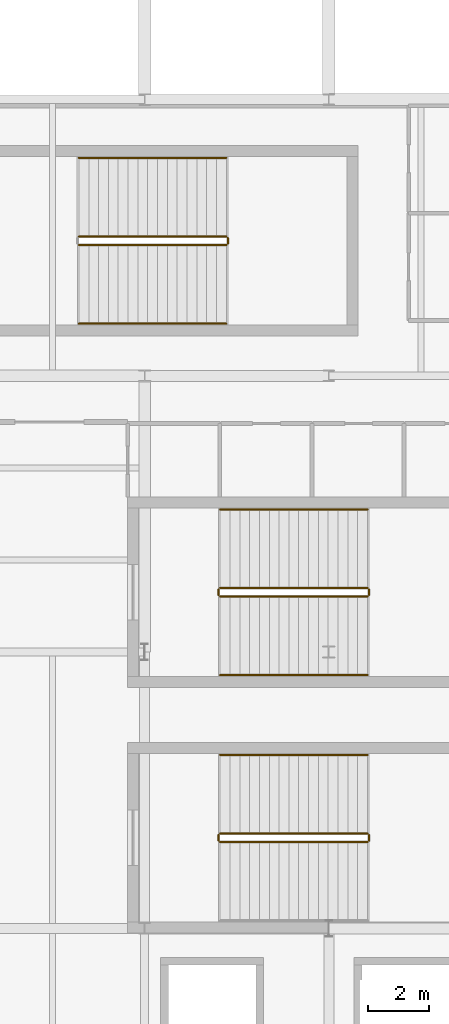
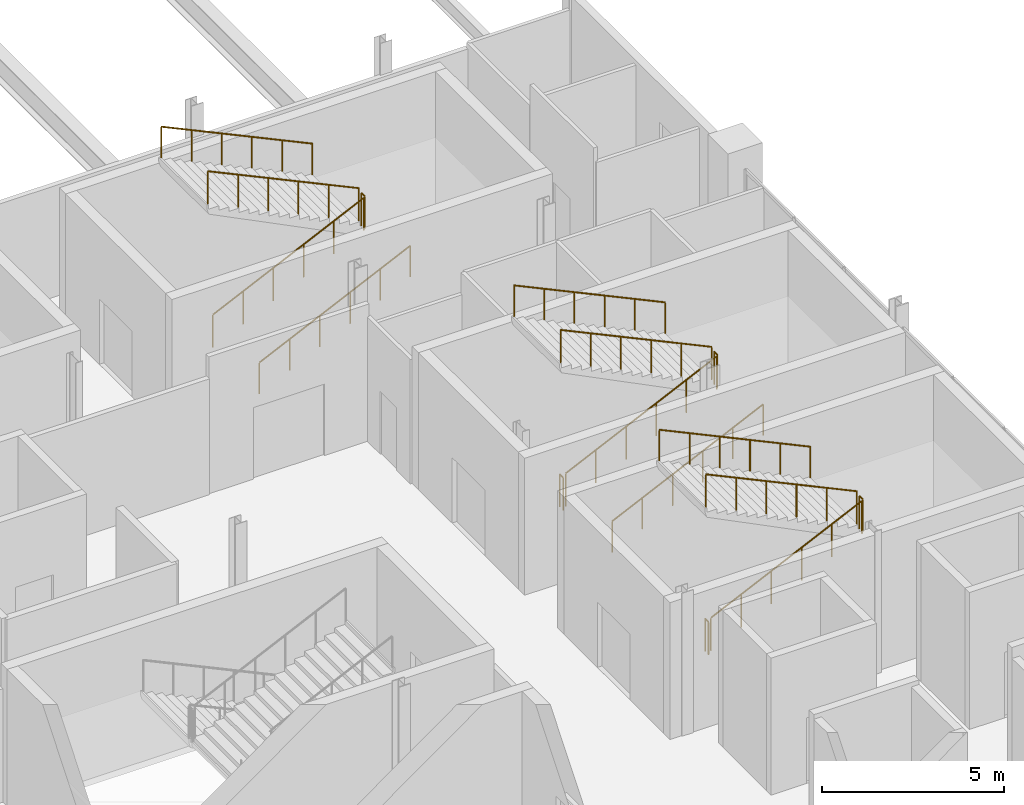
# One storey, part 224 of 224: 16 railings.
"""IFC4 building model written with IfcOpenShell, lengths in metres."""

from ifc_helpers import new_model, si_unit, direction, frame, origin, origin_2d, place, context, subcontext, project, spatial, circle, extrude, material, type_object, element, save


model = new_model("IFC4")

# Units and contexts
model_context = context("Model", 3, precision=1e-05, world=origin(), true_north=direction((0.0, 1.0)))
body_context = subcontext(model_context, "Body", "Model", "MODEL_VIEW")
ifc_project = project(units=[si_unit("LENGTHUNIT", "METRE"), si_unit("AREAUNIT", "SQUARE_METRE"), si_unit("VOLUMEUNIT", "CUBIC_METRE"), si_unit("PLANEANGLEUNIT", "RADIAN"), si_unit("MASSUNIT", "GRAM", prefix="KILO")], contexts=[model_context])

# Site, building, storey
site_placement = place(None, origin())
site = spatial("IfcSite", under=ifc_project, at=site_placement, CompositionType="ELEMENT")
building_placement = place(site_placement, origin())
building = spatial("IfcBuilding", under=site, at=building_placement, Name="Qamarlyn Nura Convention Centre", CompositionType="ELEMENT")
storey_placement = place(building_placement, frame((0.0, 0.0, 10.800048828125)))
storey = spatial("IfcBuildingStorey", under=building, at=storey_placement, Name="L02", CompositionType="ELEMENT", Elevation=10.800048828125)

# Railings
ifc_material = material(Name="Marine Grade 316 stainless steel", Category="steel")
railing_type_1 = type_object("IfcRailingType", Name="GRD-STAIR-112", PredefinedType="BALUSTRADE", material=ifc_material)
railing_1_placement = place(storey_placement, frame((182.4599609375, 65.81005859375, 0.14990234375)))
element("IfcRailing", 1, at=railing_1_placement, inside=storey, type_object=railing_type_1, Name="L02 ST-13 stair guard 1", PredefinedType="BALUSTRADE", context=body_context, shape_type="SweptSolid", body=[
    extrude(circle(Radius=0.02392578125, at=origin_2d()), frame((0.0, 0.0, 1.09619140625), z_axis=(0.90546059521, 0.0, 0.424430336476), x_axis=(0.0, 1.0, 0.0)), (0.0, 0.0, 1.0), 5.30126953125),
    extrude(circle(Radius=0.02099609375, at=origin_2d()), origin(), (0.0, 0.0, 1.0), 1.070068359375),
    extrude(circle(Radius=0.02099609375, at=origin_2d()), frame((0.9599609375, 0.0, 0.449951171875)), (0.0, 0.0, 1.0), 1.070068359375),
    extrude(circle(Radius=0.02099609375, at=origin_2d()), frame((1.919921875, 0.0, 0.89990234375)), (0.0, 0.0, 1.0), 1.070068359375),
    extrude(circle(Radius=0.02099609375, at=origin_2d()), frame((2.880126953125, 0.0, 1.35009765625)), (0.0, 0.0, 1.0), 1.070068359375),
    extrude(circle(Radius=0.02099609375, at=origin_2d()), frame((3.840087890625, 0.0, 1.800048828125)), (0.0, 0.0, 1.0), 1.070068359375),
    extrude(circle(Radius=0.02099609375, at=origin_2d()), frame((4.800048828125, 0.0, 2.25)), (0.0, 0.0, 1.0), 1.070068359375),
])
railing_2_placement = place(storey_placement, frame((187.31005859375, 65.860107421875, 2.39990234375)))
element("IfcRailing", 2, at=railing_2_placement, inside=storey, type_object=railing_type_1, Name="L02 ST-13 stair guard 2", PredefinedType="BALUSTRADE", context=body_context, shape_type="SweptSolid", body=[
    extrude(circle(Radius=0.02392578125, at=origin_2d()), frame((0.0, 0.0, 1.09619140625), z_axis=(0.0, 1.0, 0.0), x_axis=(-1.0, 0.0, 0.0)), (0.0, 0.0, 1.0), 0.179931640625),
    extrude(circle(Radius=0.02099609375, at=origin_2d()), origin(), (0.0, 0.0, 1.0), 1.070068359375),
    extrude(circle(Radius=0.02099609375, at=origin_2d()), frame((0.0, 0.179931640625, 0.0)), (0.0, 0.0, 1.0), 1.070068359375),
])
railing_3_placement = place(storey_placement, frame((187.260009765625, 66.090087890625, 2.550048828125)))
element("IfcRailing", 3, at=railing_3_placement, inside=storey, type_object=railing_type_1, Name="L02 ST-13 stair guard 3", PredefinedType="BALUSTRADE", context=body_context, shape_type="SweptSolid", body=[
    extrude(circle(Radius=0.02392578125, at=origin_2d()), frame((0.0, 0.0, 1.09619140625), z_axis=(-0.90546059521, 0.0, 0.424430336476), x_axis=(0.0, -1.0, 0.0)), (0.0, 0.0, 1.0), 5.30126953125),
    extrude(circle(Radius=0.02099609375, at=origin_2d()), origin(), (0.0, 0.0, 1.0), 1.070068359375),
    extrude(circle(Radius=0.02099609375, at=origin_2d()), frame((-0.9599609375, 0.0, 0.449951171875)), (0.0, 0.0, 1.0), 1.070068359375),
    extrude(circle(Radius=0.02099609375, at=origin_2d()), frame((-1.919921875, 0.0, 0.89990234375)), (0.0, 0.0, 1.0), 1.070068359375),
    extrude(circle(Radius=0.02099609375, at=origin_2d()), frame((-2.880126953125, 0.0, 1.35009765625)), (0.0, 0.0, 1.0), 1.070068359375),
    extrude(circle(Radius=0.02099609375, at=origin_2d()), frame((-3.840087890625, 0.0, 1.800048828125)), (0.0, 0.0, 1.0), 1.070068359375),
    extrude(circle(Radius=0.02099609375, at=origin_2d()), frame((-4.800048828125, 0.0, 2.25)), (0.0, 0.0, 1.0), 1.070068359375),
])
railing_4_placement = place(storey_placement, frame((182.409912109375, 65.860107421875, 0.0)))
element("IfcRailing", 4, at=railing_4_placement, inside=storey, type_object=railing_type_1, Name="L02 ST-13 stair guard 4", PredefinedType="BALUSTRADE", context=body_context, shape_type="SweptSolid", body=[
    extrude(circle(Radius=0.02392578125, at=origin_2d()), frame((0.0, 0.0, 1.09619140625), z_axis=(0.0, 1.0, 0.0), x_axis=(-1.0, 0.0, 0.0)), (0.0, 0.0, 1.0), 0.179931640625),
    extrude(circle(Radius=0.02099609375, at=origin_2d()), origin(), (0.0, 0.0, 1.0), 1.070068359375),
    extrude(circle(Radius=0.02099609375, at=origin_2d()), frame((0.0, 0.179931640625, 0.0)), (0.0, 0.0, 1.0), 1.070068359375),
])
railing_5_placement = place(storey_placement, frame((182.4599609375, 73.81005859375, 0.14990234375)))
element("IfcRailing", 5, at=railing_5_placement, inside=storey, type_object=railing_type_1, Name="L02 ST-14 stair guard 1", PredefinedType="BALUSTRADE", context=body_context, shape_type="SweptSolid", body=[
    extrude(circle(Radius=0.02392578125, at=origin_2d()), frame((0.0, 0.0, 1.09619140625), z_axis=(0.90546059521, 0.0, 0.424430336476), x_axis=(0.0, 1.0, 0.0)), (0.0, 0.0, 1.0), 5.30126953125),
    extrude(circle(Radius=0.02099609375, at=origin_2d()), origin(), (0.0, 0.0, 1.0), 1.070068359375),
    extrude(circle(Radius=0.02099609375, at=origin_2d()), frame((0.9599609375, 0.0, 0.449951171875)), (0.0, 0.0, 1.0), 1.070068359375),
    extrude(circle(Radius=0.02099609375, at=origin_2d()), frame((1.919921875, 0.0, 0.89990234375)), (0.0, 0.0, 1.0), 1.070068359375),
    extrude(circle(Radius=0.02099609375, at=origin_2d()), frame((2.880126953125, 0.0, 1.35009765625)), (0.0, 0.0, 1.0), 1.070068359375),
    extrude(circle(Radius=0.02099609375, at=origin_2d()), frame((3.840087890625, 0.0, 1.800048828125)), (0.0, 0.0, 1.0), 1.070068359375),
    extrude(circle(Radius=0.02099609375, at=origin_2d()), frame((4.800048828125, 0.0, 2.25)), (0.0, 0.0, 1.0), 1.070068359375),
])
railing_6_placement = place(storey_placement, frame((187.31005859375, 73.860107421875, 2.39990234375)))
element("IfcRailing", 6, at=railing_6_placement, inside=storey, type_object=railing_type_1, Name="L02 ST-14 stair guard 2", PredefinedType="BALUSTRADE", context=body_context, shape_type="SweptSolid", body=[
    extrude(circle(Radius=0.02392578125, at=origin_2d()), frame((0.0, 0.0, 1.09619140625), z_axis=(0.0, 1.0, 0.0), x_axis=(-1.0, 0.0, 0.0)), (0.0, 0.0, 1.0), 0.179931640625),
    extrude(circle(Radius=0.02099609375, at=origin_2d()), origin(), (0.0, 0.0, 1.0), 1.070068359375),
    extrude(circle(Radius=0.02099609375, at=origin_2d()), frame((0.0, 0.179931640625, 0.0)), (0.0, 0.0, 1.0), 1.070068359375),
])
railing_7_placement = place(storey_placement, frame((187.260009765625, 74.090087890625, 2.550048828125)))
element("IfcRailing", 7, at=railing_7_placement, inside=storey, type_object=railing_type_1, Name="L02 ST-14 stair guard 3", PredefinedType="BALUSTRADE", context=body_context, shape_type="SweptSolid", body=[
    extrude(circle(Radius=0.02392578125, at=origin_2d()), frame((0.0, 0.0, 1.09619140625), z_axis=(-0.90546059521, 0.0, 0.424430336476), x_axis=(0.0, -1.0, 0.0)), (0.0, 0.0, 1.0), 5.30126953125),
    extrude(circle(Radius=0.02099609375, at=origin_2d()), origin(), (0.0, 0.0, 1.0), 1.070068359375),
    extrude(circle(Radius=0.02099609375, at=origin_2d()), frame((-0.9599609375, 0.0, 0.449951171875)), (0.0, 0.0, 1.0), 1.070068359375),
    extrude(circle(Radius=0.02099609375, at=origin_2d()), frame((-1.919921875, 0.0, 0.89990234375)), (0.0, 0.0, 1.0), 1.070068359375),
    extrude(circle(Radius=0.02099609375, at=origin_2d()), frame((-2.880126953125, 0.0, 1.35009765625)), (0.0, 0.0, 1.0), 1.070068359375),
    extrude(circle(Radius=0.02099609375, at=origin_2d()), frame((-3.840087890625, 0.0, 1.800048828125)), (0.0, 0.0, 1.0), 1.070068359375),
    extrude(circle(Radius=0.02099609375, at=origin_2d()), frame((-4.800048828125, 0.0, 2.25)), (0.0, 0.0, 1.0), 1.070068359375),
])
railing_8_placement = place(storey_placement, frame((182.409912109375, 73.860107421875, 0.0)))
element("IfcRailing", 8, at=railing_8_placement, inside=storey, type_object=railing_type_1, Name="L02 ST-14 stair guard 4", PredefinedType="BALUSTRADE", context=body_context, shape_type="SweptSolid", body=[
    extrude(circle(Radius=0.02392578125, at=origin_2d()), frame((0.0, 0.0, 1.09619140625), z_axis=(0.0, 1.0, 0.0), x_axis=(-1.0, 0.0, 0.0)), (0.0, 0.0, 1.0), 0.179931640625),
    extrude(circle(Radius=0.02099609375, at=origin_2d()), origin(), (0.0, 0.0, 1.0), 1.070068359375),
    extrude(circle(Radius=0.02099609375, at=origin_2d()), frame((0.0, 0.179931640625, 0.0)), (0.0, 0.0, 1.0), 1.070068359375),
])
railing_9_placement = place(storey_placement, frame((177.860107421875, 85.260009765625, 0.14990234375)))
element("IfcRailing", 9, at=railing_9_placement, inside=storey, type_object=railing_type_1, Name="L02 ST-17 stair guard 1", PredefinedType="BALUSTRADE", context=body_context, shape_type="SweptSolid", body=[
    extrude(circle(Radius=0.02392578125, at=origin_2d()), frame((0.0, 0.0, 1.09619140625), z_axis=(0.905452298538, 0.0, 0.424448035774), x_axis=(0.0, 1.0, 0.0)), (0.0, 0.0, 1.0), 5.301025390625),
    extrude(circle(Radius=0.02099609375, at=origin_2d()), origin(), (0.0, 0.0, 1.0), 1.070068359375),
    extrude(circle(Radius=0.02099609375, at=origin_2d()), frame((0.9599609375, 0.0, 0.449951171875)), (0.0, 0.0, 1.0), 1.070068359375),
    extrude(circle(Radius=0.02099609375, at=origin_2d()), frame((1.919921875, 0.0, 0.89990234375)), (0.0, 0.0, 1.0), 1.070068359375),
    extrude(circle(Radius=0.02099609375, at=origin_2d()), frame((2.8798828125, 0.0, 1.35009765625)), (0.0, 0.0, 1.0), 1.070068359375),
    extrude(circle(Radius=0.02099609375, at=origin_2d()), frame((3.83984375, 0.0, 1.800048828125)), (0.0, 0.0, 1.0), 1.070068359375),
    extrude(circle(Radius=0.02099609375, at=origin_2d()), frame((4.7998046875, 0.0, 2.25)), (0.0, 0.0, 1.0), 1.070068359375),
])
railing_10_placement = place(storey_placement, frame((182.7099609375, 85.31005859375, 2.39990234375)))
element("IfcRailing", 10, at=railing_10_placement, inside=storey, type_object=railing_type_1, Name="L02 ST-17 stair guard 2", PredefinedType="BALUSTRADE", context=body_context, shape_type="SweptSolid", body=[
    extrude(circle(Radius=0.02392578125, at=origin_2d()), frame((0.0, 0.0, 1.09619140625), z_axis=(0.0, 1.0, 0.0), x_axis=(-1.0, 0.0, 0.0)), (0.0, 0.0, 1.0), 0.179931640625),
    extrude(circle(Radius=0.02099609375, at=origin_2d()), origin(), (0.0, 0.0, 1.0), 1.070068359375),
    extrude(circle(Radius=0.02099609375, at=origin_2d()), frame((0.0, 0.179931640625, 0.0)), (0.0, 0.0, 1.0), 1.070068359375),
])
railing_11_placement = place(storey_placement, frame((182.659912109375, 85.5400390625, 2.550048828125)))
element("IfcRailing", 11, at=railing_11_placement, inside=storey, type_object=railing_type_1, Name="L02 ST-17 stair guard 3", PredefinedType="BALUSTRADE", context=body_context, shape_type="SweptSolid", body=[
    extrude(circle(Radius=0.02392578125, at=origin_2d()), frame((0.0, 0.0, 1.09619140625), z_axis=(-0.905452298538, 0.0, 0.424448035774), x_axis=(0.0, -1.0, 0.0)), (0.0, 0.0, 1.0), 5.301025390625),
    extrude(circle(Radius=0.02099609375, at=origin_2d()), origin(), (0.0, 0.0, 1.0), 1.070068359375),
    extrude(circle(Radius=0.02099609375, at=origin_2d()), frame((-0.9599609375, 0.0, 0.449951171875)), (0.0, 0.0, 1.0), 1.070068359375),
    extrude(circle(Radius=0.02099609375, at=origin_2d()), frame((-1.919921875, 0.0, 0.89990234375)), (0.0, 0.0, 1.0), 1.070068359375),
    extrude(circle(Radius=0.02099609375, at=origin_2d()), frame((-2.8798828125, 0.0, 1.35009765625)), (0.0, 0.0, 1.0), 1.070068359375),
    extrude(circle(Radius=0.02099609375, at=origin_2d()), frame((-3.83984375, 0.0, 1.800048828125)), (0.0, 0.0, 1.0), 1.070068359375),
    extrude(circle(Radius=0.02099609375, at=origin_2d()), frame((-4.7998046875, 0.0, 2.25)), (0.0, 0.0, 1.0), 1.070068359375),
])
railing_type_2 = type_object("IfcRailingType", Name="HRL-STAIR-090", PredefinedType="HANDRAIL", material=ifc_material)
railing_12_placement = place(storey_placement, frame((187.260009765625, 68.64990234375, 2.7021484375)))
element("IfcRailing", 12, at=railing_12_placement, inside=storey, type_object=railing_type_2, Name="L02 ST-13 stair handrail 2", PredefinedType="HANDRAIL", context=body_context, shape_type="SweptSolid", body=[
    extrude(circle(Radius=0.02392578125, at=origin_2d()), frame((0.0, 0.0, 0.88818359375), z_axis=(-0.90546059521, 0.0, 0.424430336476), x_axis=(0.0, -1.0, 0.0)), (0.0, 0.0, 1.0), 5.30126953125),
    extrude(circle(Radius=0.02099609375, at=origin_2d()), frame((0.0, 0.0, -0.155029296875)), (0.0, 0.0, 1.0), 1.01708984375),
    extrude(circle(Radius=0.02099609375, at=origin_2d()), frame((-0.9599609375, 0.0, 0.294921875)), (0.0, 0.0, 1.0), 1.01708984375),
    extrude(circle(Radius=0.02099609375, at=origin_2d()), frame((-1.919921875, 0.0, 0.744873046875)), (0.0, 0.0, 1.0), 1.01708984375),
    extrude(circle(Radius=0.02099609375, at=origin_2d()), frame((-2.880126953125, 0.0, 1.195068359375)), (0.0, 0.0, 1.0), 1.01708984375),
    extrude(circle(Radius=0.02099609375, at=origin_2d()), frame((-3.840087890625, 0.0, 1.64501953125)), (0.0, 0.0, 1.0), 1.01708984375),
    extrude(circle(Radius=0.02099609375, at=origin_2d()), frame((-4.800048828125, 0.0, 2.094970703125)), (0.0, 0.0, 1.0), 1.01708984375),
])
railing_13_placement = place(storey_placement, frame((182.4599609375, 71.25, 0.30224609375)))
element("IfcRailing", 13, at=railing_13_placement, inside=storey, type_object=railing_type_2, Name="L02 ST-14 stair handrail 1", PredefinedType="HANDRAIL", context=body_context, shape_type="SweptSolid", body=[
    extrude(circle(Radius=0.02392578125, at=origin_2d()), frame((0.0, 0.0, 0.88818359375), z_axis=(0.90546059521, 0.0, 0.424430336476), x_axis=(0.0, 1.0, 0.0)), (0.0, 0.0, 1.0), 5.30126953125),
    extrude(circle(Radius=0.02099609375, at=origin_2d()), frame((0.0, 0.0, -0.155029296875)), (0.0, 0.0, 1.0), 1.01708984375),
    extrude(circle(Radius=0.02099609375, at=origin_2d()), frame((0.9599609375, 0.0, 0.294921875)), (0.0, 0.0, 1.0), 1.01708984375),
    extrude(circle(Radius=0.02099609375, at=origin_2d()), frame((1.919921875, 0.0, 0.744873046875)), (0.0, 0.0, 1.0), 1.01708984375),
    extrude(circle(Radius=0.02099609375, at=origin_2d()), frame((2.880126953125, 0.0, 1.195068359375)), (0.0, 0.0, 1.0), 1.01708984375),
    extrude(circle(Radius=0.02099609375, at=origin_2d()), frame((3.840087890625, 0.0, 1.64501953125)), (0.0, 0.0, 1.0), 1.01708984375),
    extrude(circle(Radius=0.02099609375, at=origin_2d()), frame((4.800048828125, 0.0, 2.094970703125)), (0.0, 0.0, 1.0), 1.01708984375),
])
railing_14_placement = place(storey_placement, frame((187.260009765625, 76.64990234375, 2.7021484375)))
element("IfcRailing", 14, at=railing_14_placement, inside=storey, type_object=railing_type_2, Name="L02 ST-14 stair handrail 2", PredefinedType="HANDRAIL", context=body_context, shape_type="SweptSolid", body=[
    extrude(circle(Radius=0.02392578125, at=origin_2d()), frame((0.0, 0.0, 0.88818359375), z_axis=(-0.90546059521, 0.0, 0.424430336476), x_axis=(0.0, -1.0, 0.0)), (0.0, 0.0, 1.0), 5.30126953125),
    extrude(circle(Radius=0.02099609375, at=origin_2d()), frame((0.0, 0.0, -0.155029296875)), (0.0, 0.0, 1.0), 1.01708984375),
    extrude(circle(Radius=0.02099609375, at=origin_2d()), frame((-0.9599609375, 0.0, 0.294921875)), (0.0, 0.0, 1.0), 1.01708984375),
    extrude(circle(Radius=0.02099609375, at=origin_2d()), frame((-1.919921875, 0.0, 0.744873046875)), (0.0, 0.0, 1.0), 1.01708984375),
    extrude(circle(Radius=0.02099609375, at=origin_2d()), frame((-2.880126953125, 0.0, 1.195068359375)), (0.0, 0.0, 1.0), 1.01708984375),
    extrude(circle(Radius=0.02099609375, at=origin_2d()), frame((-3.840087890625, 0.0, 1.64501953125)), (0.0, 0.0, 1.0), 1.01708984375),
    extrude(circle(Radius=0.02099609375, at=origin_2d()), frame((-4.800048828125, 0.0, 2.094970703125)), (0.0, 0.0, 1.0), 1.01708984375),
])
railing_15_placement = place(storey_placement, frame((177.860107421875, 82.699951171875, 0.30224609375)))
element("IfcRailing", 15, at=railing_15_placement, inside=storey, type_object=railing_type_2, Name="L02 ST-17 stair handrail 1", PredefinedType="HANDRAIL", context=body_context, shape_type="SweptSolid", body=[
    extrude(circle(Radius=0.02392578125, at=origin_2d()), frame((0.0, 0.0, 0.88818359375), z_axis=(0.905452298538, 0.0, 0.424448035774), x_axis=(0.0, 1.0, 0.0)), (0.0, 0.0, 1.0), 5.301025390625),
    extrude(circle(Radius=0.02099609375, at=origin_2d()), frame((0.0, 0.0, -0.155029296875)), (0.0, 0.0, 1.0), 1.01708984375),
    extrude(circle(Radius=0.02099609375, at=origin_2d()), frame((0.9599609375, 0.0, 0.294921875)), (0.0, 0.0, 1.0), 1.01708984375),
    extrude(circle(Radius=0.02099609375, at=origin_2d()), frame((1.919921875, 0.0, 0.744873046875)), (0.0, 0.0, 1.0), 1.01708984375),
    extrude(circle(Radius=0.02099609375, at=origin_2d()), frame((2.8798828125, 0.0, 1.195068359375)), (0.0, 0.0, 1.0), 1.01708984375),
    extrude(circle(Radius=0.02099609375, at=origin_2d()), frame((3.83984375, 0.0, 1.64501953125)), (0.0, 0.0, 1.0), 1.01708984375),
    extrude(circle(Radius=0.02099609375, at=origin_2d()), frame((4.7998046875, 0.0, 2.094970703125)), (0.0, 0.0, 1.0), 1.01708984375),
])
railing_16_placement = place(storey_placement, frame((182.659912109375, 88.10009765625, 2.7021484375)))
element("IfcRailing", 16, at=railing_16_placement, inside=storey, type_object=railing_type_2, Name="L02 ST-17 stair handrail 2", PredefinedType="HANDRAIL", context=body_context, shape_type="SweptSolid", body=[
    extrude(circle(Radius=0.02392578125, at=origin_2d()), frame((0.0, 0.0, 0.88818359375), z_axis=(-0.905452298538, 0.0, 0.424448035774), x_axis=(0.0, -1.0, 0.0)), (0.0, 0.0, 1.0), 5.301025390625),
    extrude(circle(Radius=0.02099609375, at=origin_2d()), frame((0.0, 0.0, -0.155029296875)), (0.0, 0.0, 1.0), 1.01708984375),
    extrude(circle(Radius=0.02099609375, at=origin_2d()), frame((-0.9599609375, 0.0, 0.294921875)), (0.0, 0.0, 1.0), 1.01708984375),
    extrude(circle(Radius=0.02099609375, at=origin_2d()), frame((-1.919921875, 0.0, 0.744873046875)), (0.0, 0.0, 1.0), 1.01708984375),
    extrude(circle(Radius=0.02099609375, at=origin_2d()), frame((-2.8798828125, 0.0, 1.195068359375)), (0.0, 0.0, 1.0), 1.01708984375),
    extrude(circle(Radius=0.02099609375, at=origin_2d()), frame((-3.83984375, 0.0, 1.64501953125)), (0.0, 0.0, 1.0), 1.01708984375),
    extrude(circle(Radius=0.02099609375, at=origin_2d()), frame((-4.7998046875, 0.0, 2.094970703125)), (0.0, 0.0, 1.0), 1.01708984375),
])

save(model, "model.ifc")
